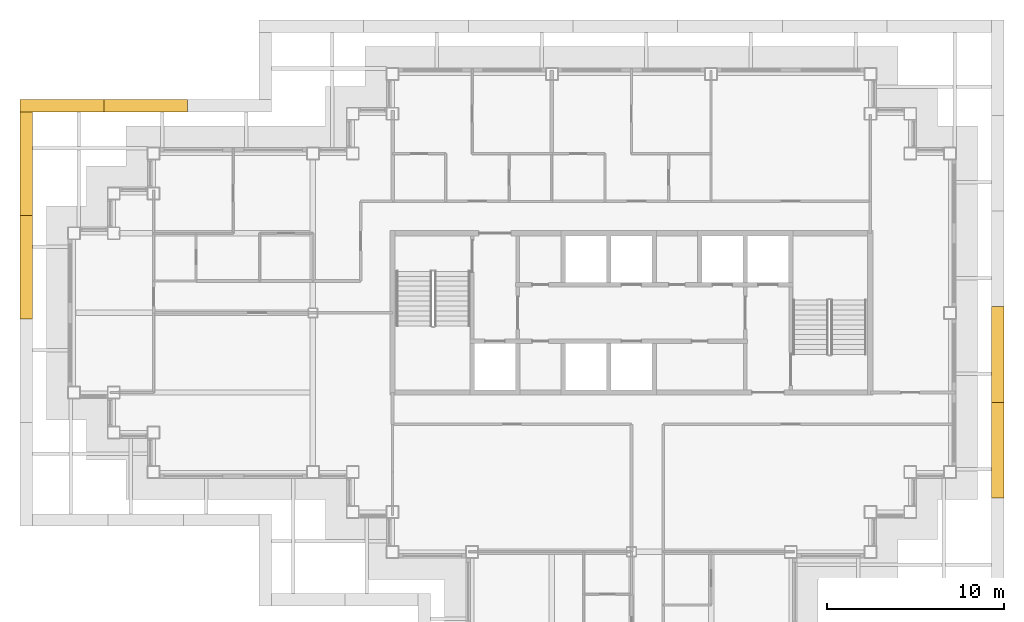
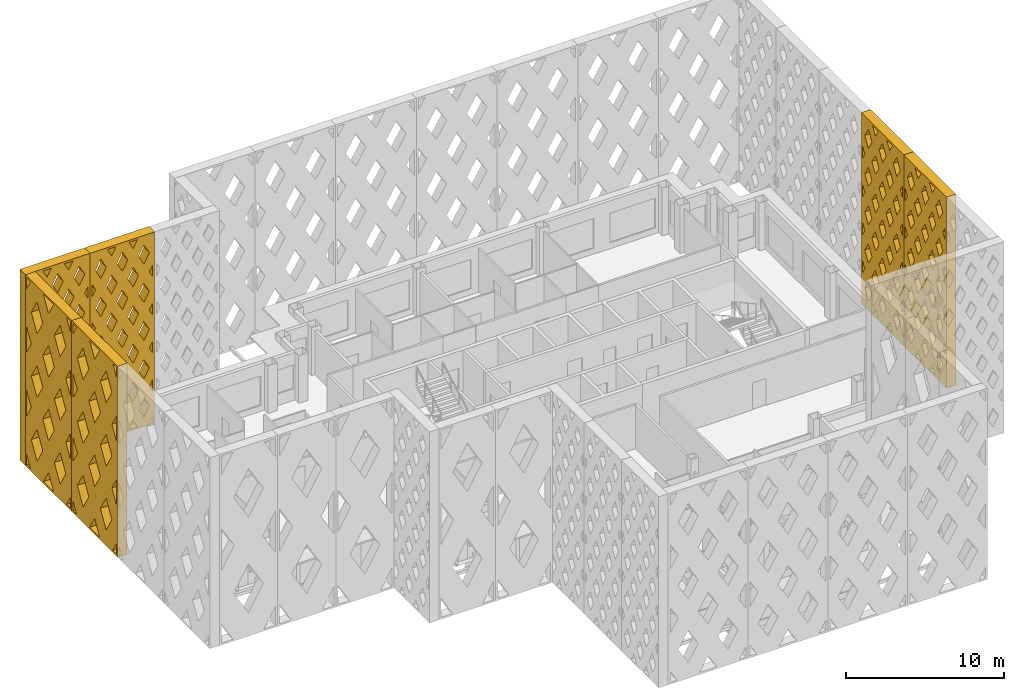
# One storey, part 14 of 16: 6 shading devices.
"""IFC4 building model written with IfcOpenShell, lengths in metres."""

from ifc_helpers import new_model, si_unit, direction, frame, origin, place, context, subcontext, project, spatial, polyline, outline, extrude, material, type_object, element, save


model = new_model("IFC4")

# Units and contexts
model_context = context("Model", 3, precision=1e-05, world=origin(), true_north=direction((0.0, 1.0)))
body_context = subcontext(model_context, "Body", "Model", "MODEL_VIEW")
ifc_project = project(units=[si_unit("LENGTHUNIT", "METRE"), si_unit("AREAUNIT", "SQUARE_METRE"), si_unit("VOLUMEUNIT", "CUBIC_METRE"), si_unit("PLANEANGLEUNIT", "RADIAN"), si_unit("MASSUNIT", "GRAM", prefix="KILO")], contexts=[model_context])

# Site, building, storey
site_placement = place(None, origin())
site = spatial("IfcSite", under=ifc_project, at=site_placement, CompositionType="ELEMENT")
building_placement = place(site_placement, origin())
building = spatial("IfcBuilding", under=site, at=building_placement, Name="Caravel Reach Hotel and Residences", CompositionType="ELEMENT")
storey_placement = place(building_placement, frame((0.0, 0.0, 207.199951171875)))
storey = spatial("IfcBuildingStorey", under=building, at=storey_placement, Name="L52", CompositionType="ELEMENT", Elevation=207.199951171875)

# Shading devices
ifc_material_1 = material(Name="Black powder-coated aluminium", Category="aluminium")
shading_device_type_1 = type_object("IfcShadingDeviceType", Name="Diamond lattice screen panel 4733 x 14800", PredefinedType="USERDEFINED", material=ifc_material_1)
shading_device_1_placement = place(storey_placement, frame((6.416748046875, 38.35009765625, 0.0), z_axis=(0.0, 1.0, 0.0), x_axis=(-1.0, 0.0, 0.0)))
element("IfcShadingDevice", 1, at=shading_device_1_placement, inside=storey, type_object=shading_device_type_1, Name="Lattice screen L52-L55 6.2", ObjectType="SCREEN", PredefinedType="USERDEFINED", context=body_context, shape_type="SweptSolid", body=[
    extrude(outline(polyline([(0.0, 0.0), (4.7333984375, 0.0), (4.7333984375, 14.800048828125), (0.0, 14.800048828125), (0.0, 0.0)]), holes=[polyline([(0.398681640625, 2.9599609375), (0.14990234375, 3.4267578125), (0.14990234375, 2.493408203125), (0.398681640625, 2.9599609375)]), polyline([(0.398681640625, 5.919921875), (0.14990234375, 6.38671875), (0.14990234375, 5.453369140625), (0.398681640625, 5.919921875)]), polyline([(0.398681640625, 8.8798828125), (0.14990234375, 9.3466796875), (0.14990234375, 8.413330078125), (0.398681640625, 8.8798828125)]), polyline([(0.398681640625, 11.840087890625), (0.14990234375, 12.306640625), (0.14990234375, 11.373291015625), (0.398681640625, 11.840087890625)]), polyline([(0.788818359375, 2.22802734375), (0.39013671875, 1.47998046875), (0.788818359375, 0.73193359375), (1.187744140625, 1.47998046875), (0.788818359375, 2.22802734375)]), polyline([(0.788818359375, 5.18798828125), (0.39013671875, 4.43994140625), (0.788818359375, 3.69189453125), (1.187744140625, 4.43994140625), (0.788818359375, 5.18798828125)]), polyline([(0.788818359375, 8.14794921875), (0.39013671875, 7.39990234375), (0.788818359375, 6.65185546875), (1.187744140625, 7.39990234375), (0.788818359375, 8.14794921875)]), polyline([(0.788818359375, 11.108154296875), (0.39013671875, 10.360107421875), (0.788818359375, 9.612060546875), (1.187744140625, 10.360107421875), (0.788818359375, 11.108154296875)]), polyline([(0.788818359375, 14.068115234375), (0.39013671875, 13.320068359375), (0.788818359375, 12.572021484375), (1.187744140625, 13.320068359375), (0.788818359375, 14.068115234375)]), polyline([(1.577880859375, 0.748046875), (1.259033203125, 0.14990234375), (1.896484375, 0.14990234375), (1.577880859375, 0.748046875)]), polyline([(1.577880859375, 3.7080078125), (1.178955078125, 2.9599609375), (1.577880859375, 2.2119140625), (1.9765625, 2.9599609375), (1.577880859375, 3.7080078125)]), polyline([(1.577880859375, 6.66796875), (1.178955078125, 5.919921875), (1.577880859375, 5.171875), (1.9765625, 5.919921875), (1.577880859375, 6.66796875)]), polyline([(1.577880859375, 9.6279296875), (1.178955078125, 8.8798828125), (1.577880859375, 8.1318359375), (1.9765625, 8.8798828125), (1.577880859375, 9.6279296875)]), polyline([(1.577880859375, 12.588134765625), (1.178955078125, 11.840087890625), (1.577880859375, 11.092041015625), (1.9765625, 11.840087890625), (1.577880859375, 12.588134765625)]), polyline([(1.577880859375, 14.052001953125), (1.896484375, 14.64990234375), (1.259033203125, 14.64990234375), (1.577880859375, 14.052001953125)]), polyline([(2.36669921875, 2.22802734375), (1.968017578125, 1.47998046875), (2.36669921875, 0.73193359375), (2.765380859375, 1.47998046875), (2.36669921875, 2.22802734375)]), polyline([(2.36669921875, 5.18798828125), (1.968017578125, 4.43994140625), (2.36669921875, 3.69189453125), (2.765380859375, 4.43994140625), (2.36669921875, 5.18798828125)]), polyline([(2.36669921875, 8.14794921875), (1.968017578125, 7.39990234375), (2.36669921875, 6.65185546875), (2.765380859375, 7.39990234375), (2.36669921875, 8.14794921875)]), polyline([(2.36669921875, 11.108154296875), (1.968017578125, 10.360107421875), (2.36669921875, 9.612060546875), (2.765380859375, 10.360107421875), (2.36669921875, 11.108154296875)]), polyline([(2.36669921875, 14.068115234375), (1.968017578125, 13.320068359375), (2.36669921875, 12.572021484375), (2.765380859375, 13.320068359375), (2.36669921875, 14.068115234375)]), polyline([(3.155517578125, 0.748046875), (2.836669921875, 0.14990234375), (3.474365234375, 0.14990234375), (3.155517578125, 0.748046875)]), polyline([(3.155517578125, 3.7080078125), (2.7568359375, 2.9599609375), (3.155517578125, 2.2119140625), (3.55419921875, 2.9599609375), (3.155517578125, 3.7080078125)]), polyline([(3.155517578125, 6.66796875), (2.7568359375, 5.919921875), (3.155517578125, 5.171875), (3.55419921875, 5.919921875), (3.155517578125, 6.66796875)]), polyline([(3.155517578125, 9.6279296875), (2.7568359375, 8.8798828125), (3.155517578125, 8.1318359375), (3.55419921875, 8.8798828125), (3.155517578125, 9.6279296875)]), polyline([(3.155517578125, 12.588134765625), (2.7568359375, 11.840087890625), (3.155517578125, 11.092041015625), (3.55419921875, 11.840087890625), (3.155517578125, 12.588134765625)]), polyline([(3.155517578125, 14.052001953125), (3.474365234375, 14.64990234375), (2.836669921875, 14.64990234375), (3.155517578125, 14.052001953125)]), polyline([(3.9443359375, 2.22802734375), (3.545654296875, 1.47998046875), (3.9443359375, 0.73193359375), (4.34326171875, 1.47998046875), (3.9443359375, 2.22802734375)]), polyline([(3.9443359375, 5.18798828125), (3.545654296875, 4.43994140625), (3.9443359375, 3.69189453125), (4.34326171875, 4.43994140625), (3.9443359375, 5.18798828125)]), polyline([(3.9443359375, 8.14794921875), (3.545654296875, 7.39990234375), (3.9443359375, 6.65185546875), (4.34326171875, 7.39990234375), (3.9443359375, 8.14794921875)]), polyline([(3.9443359375, 11.108154296875), (3.545654296875, 10.360107421875), (3.9443359375, 9.612060546875), (4.34326171875, 10.360107421875), (3.9443359375, 11.108154296875)]), polyline([(3.9443359375, 14.068115234375), (3.545654296875, 13.320068359375), (3.9443359375, 12.572021484375), (4.34326171875, 13.320068359375), (3.9443359375, 14.068115234375)]), polyline([(4.334716796875, 2.9599609375), (4.583251953125, 2.493408203125), (4.583251953125, 3.4267578125), (4.334716796875, 2.9599609375)]), polyline([(4.334716796875, 5.919921875), (4.583251953125, 5.453369140625), (4.583251953125, 6.38671875), (4.334716796875, 5.919921875)]), polyline([(4.334716796875, 8.8798828125), (4.583251953125, 8.413330078125), (4.583251953125, 9.3466796875), (4.334716796875, 8.8798828125)]), polyline([(4.334716796875, 11.840087890625), (4.583251953125, 11.373291015625), (4.583251953125, 12.306640625), (4.334716796875, 11.840087890625)])]), origin(), (0.0, 0.0, 1.0), 0.699951171875),
])
shading_device_2_placement = place(storey_placement, frame((1.683349609375, 38.35009765625, 0.0), z_axis=(0.0, 1.0, 0.0), x_axis=(-1.0, 0.0, 0.0)))
element("IfcShadingDevice", 2, at=shading_device_2_placement, inside=storey, type_object=shading_device_type_1, Name="Lattice screen L52-L55 6.3", ObjectType="SCREEN", PredefinedType="USERDEFINED", context=body_context, shape_type="SweptSolid", body=[
    extrude(outline(polyline([(0.0, 0.0), (4.7333984375, 0.0), (4.7333984375, 14.800048828125), (0.0, 14.800048828125), (0.0, 0.0)]), holes=[polyline([(0.398681640625, 2.9599609375), (0.14990234375, 3.4267578125), (0.14990234375, 2.493408203125), (0.398681640625, 2.9599609375)]), polyline([(0.398681640625, 5.919921875), (0.14990234375, 6.38671875), (0.14990234375, 5.453369140625), (0.398681640625, 5.919921875)]), polyline([(0.398681640625, 8.8798828125), (0.14990234375, 9.3466796875), (0.14990234375, 8.413330078125), (0.398681640625, 8.8798828125)]), polyline([(0.398681640625, 11.840087890625), (0.14990234375, 12.306640625), (0.14990234375, 11.373291015625), (0.398681640625, 11.840087890625)]), polyline([(0.788818359375, 2.22802734375), (0.39013671875, 1.47998046875), (0.788818359375, 0.73193359375), (1.187744140625, 1.47998046875), (0.788818359375, 2.22802734375)]), polyline([(0.788818359375, 5.18798828125), (0.39013671875, 4.43994140625), (0.788818359375, 3.69189453125), (1.187744140625, 4.43994140625), (0.788818359375, 5.18798828125)]), polyline([(0.788818359375, 8.14794921875), (0.39013671875, 7.39990234375), (0.788818359375, 6.65185546875), (1.187744140625, 7.39990234375), (0.788818359375, 8.14794921875)]), polyline([(0.788818359375, 11.108154296875), (0.39013671875, 10.360107421875), (0.788818359375, 9.612060546875), (1.187744140625, 10.360107421875), (0.788818359375, 11.108154296875)]), polyline([(0.788818359375, 14.068115234375), (0.39013671875, 13.320068359375), (0.788818359375, 12.572021484375), (1.187744140625, 13.320068359375), (0.788818359375, 14.068115234375)]), polyline([(1.577880859375, 0.748046875), (1.259033203125, 0.14990234375), (1.896484375, 0.14990234375), (1.577880859375, 0.748046875)]), polyline([(1.577880859375, 3.7080078125), (1.178955078125, 2.9599609375), (1.577880859375, 2.2119140625), (1.9765625, 2.9599609375), (1.577880859375, 3.7080078125)]), polyline([(1.577880859375, 6.66796875), (1.178955078125, 5.919921875), (1.577880859375, 5.171875), (1.9765625, 5.919921875), (1.577880859375, 6.66796875)]), polyline([(1.577880859375, 9.6279296875), (1.178955078125, 8.8798828125), (1.577880859375, 8.1318359375), (1.9765625, 8.8798828125), (1.577880859375, 9.6279296875)]), polyline([(1.577880859375, 12.588134765625), (1.178955078125, 11.840087890625), (1.577880859375, 11.092041015625), (1.9765625, 11.840087890625), (1.577880859375, 12.588134765625)]), polyline([(1.577880859375, 14.052001953125), (1.896484375, 14.64990234375), (1.259033203125, 14.64990234375), (1.577880859375, 14.052001953125)]), polyline([(2.36669921875, 2.22802734375), (1.968017578125, 1.47998046875), (2.36669921875, 0.73193359375), (2.765380859375, 1.47998046875), (2.36669921875, 2.22802734375)]), polyline([(2.36669921875, 5.18798828125), (1.968017578125, 4.43994140625), (2.36669921875, 3.69189453125), (2.765380859375, 4.43994140625), (2.36669921875, 5.18798828125)]), polyline([(2.36669921875, 8.14794921875), (1.968017578125, 7.39990234375), (2.36669921875, 6.65185546875), (2.765380859375, 7.39990234375), (2.36669921875, 8.14794921875)]), polyline([(2.36669921875, 11.108154296875), (1.968017578125, 10.360107421875), (2.36669921875, 9.612060546875), (2.765380859375, 10.360107421875), (2.36669921875, 11.108154296875)]), polyline([(2.36669921875, 14.068115234375), (1.968017578125, 13.320068359375), (2.36669921875, 12.572021484375), (2.765380859375, 13.320068359375), (2.36669921875, 14.068115234375)]), polyline([(3.155517578125, 0.748046875), (2.836669921875, 0.14990234375), (3.474365234375, 0.14990234375), (3.155517578125, 0.748046875)]), polyline([(3.155517578125, 3.7080078125), (2.7568359375, 2.9599609375), (3.155517578125, 2.2119140625), (3.55419921875, 2.9599609375), (3.155517578125, 3.7080078125)]), polyline([(3.155517578125, 6.66796875), (2.7568359375, 5.919921875), (3.155517578125, 5.171875), (3.55419921875, 5.919921875), (3.155517578125, 6.66796875)]), polyline([(3.155517578125, 9.6279296875), (2.7568359375, 8.8798828125), (3.155517578125, 8.1318359375), (3.55419921875, 8.8798828125), (3.155517578125, 9.6279296875)]), polyline([(3.155517578125, 12.588134765625), (2.7568359375, 11.840087890625), (3.155517578125, 11.092041015625), (3.55419921875, 11.840087890625), (3.155517578125, 12.588134765625)]), polyline([(3.155517578125, 14.052001953125), (3.474365234375, 14.64990234375), (2.836669921875, 14.64990234375), (3.155517578125, 14.052001953125)]), polyline([(3.9443359375, 2.22802734375), (3.545654296875, 1.47998046875), (3.9443359375, 0.73193359375), (4.34326171875, 1.47998046875), (3.9443359375, 2.22802734375)]), polyline([(3.9443359375, 5.18798828125), (3.545654296875, 4.43994140625), (3.9443359375, 3.69189453125), (4.34326171875, 4.43994140625), (3.9443359375, 5.18798828125)]), polyline([(3.9443359375, 8.14794921875), (3.545654296875, 7.39990234375), (3.9443359375, 6.65185546875), (4.34326171875, 7.39990234375), (3.9443359375, 8.14794921875)]), polyline([(3.9443359375, 11.108154296875), (3.545654296875, 10.360107421875), (3.9443359375, 9.612060546875), (4.34326171875, 10.360107421875), (3.9443359375, 11.108154296875)]), polyline([(3.9443359375, 14.068115234375), (3.545654296875, 13.320068359375), (3.9443359375, 12.572021484375), (4.34326171875, 13.320068359375), (3.9443359375, 14.068115234375)]), polyline([(4.334716796875, 2.9599609375), (4.583251953125, 2.493408203125), (4.583251953125, 3.4267578125), (4.334716796875, 2.9599609375)]), polyline([(4.334716796875, 5.919921875), (4.583251953125, 5.453369140625), (4.583251953125, 6.38671875), (4.334716796875, 5.919921875)]), polyline([(4.334716796875, 8.8798828125), (4.583251953125, 8.413330078125), (4.583251953125, 9.3466796875), (4.334716796875, 8.8798828125)]), polyline([(4.334716796875, 11.840087890625), (4.583251953125, 11.373291015625), (4.583251953125, 12.306640625), (4.334716796875, 11.840087890625)])]), origin(), (0.0, 0.0, 1.0), 0.699951171875),
])
ifc_material_2 = material(Name="Black powder-coated aluminium", Category="aluminium")
shading_device_type_2 = type_object("IfcShadingDeviceType", Name="Diamond lattice screen panel 5400 x 14800", PredefinedType="USERDEFINED", material=ifc_material_2)
shading_device_3_placement = place(storey_placement, frame((51.85009765625, 16.550048828125, 0.0), z_axis=(1.0, 0.0, 0.0), x_axis=(0.0, 1.0, 0.0)))
element("IfcShadingDevice", 3, at=shading_device_3_placement, inside=storey, type_object=shading_device_type_2, Name="Lattice screen L52-L55 3.2", ObjectType="SCREEN", PredefinedType="USERDEFINED", context=body_context, shape_type="SweptSolid", body=[
    extrude(outline(polyline([(0.0, 0.0), (5.39990234375, 0.0), (5.39990234375, 14.800048828125), (0.0, 14.800048828125), (0.0, 0.0)]), holes=[polyline([(0.452880859375, 2.9599609375), (0.14990234375, 3.4580078125), (0.14990234375, 2.4619140625), (0.452880859375, 2.9599609375)]), polyline([(0.452880859375, 5.919921875), (0.14990234375, 6.41796875), (0.14990234375, 5.421875), (0.452880859375, 5.919921875)]), polyline([(0.452880859375, 8.8798828125), (0.14990234375, 9.378173828125), (0.14990234375, 8.3818359375), (0.452880859375, 8.8798828125)]), polyline([(0.452880859375, 11.840087890625), (0.14990234375, 12.338134765625), (0.14990234375, 11.342041015625), (0.452880859375, 11.840087890625)]), polyline([(0.89990234375, 2.224853515625), (0.447021484375, 1.47998046875), (0.89990234375, 0.7353515625), (1.352783203125, 1.47998046875), (0.89990234375, 2.224853515625)]), polyline([(0.89990234375, 5.184814453125), (0.447021484375, 4.43994140625), (0.89990234375, 3.6953125), (1.352783203125, 4.43994140625), (0.89990234375, 5.184814453125)]), polyline([(0.89990234375, 8.144775390625), (0.447021484375, 7.39990234375), (0.89990234375, 6.6552734375), (1.352783203125, 7.39990234375), (0.89990234375, 8.144775390625)]), polyline([(0.89990234375, 11.104736328125), (0.447021484375, 10.360107421875), (0.89990234375, 9.615234375), (1.352783203125, 10.360107421875), (0.89990234375, 11.104736328125)]), polyline([(0.89990234375, 14.064697265625), (0.447021484375, 13.320068359375), (0.89990234375, 12.5751953125), (1.352783203125, 13.320068359375), (0.89990234375, 14.064697265625)]), polyline([(1.800048828125, 0.74462890625), (1.438232421875, 0.14990234375), (2.16162109375, 0.14990234375), (1.800048828125, 0.74462890625)]), polyline([(1.800048828125, 3.704833984375), (1.34716796875, 2.9599609375), (1.800048828125, 2.21533203125), (2.2529296875, 2.9599609375), (1.800048828125, 3.704833984375)]), polyline([(1.800048828125, 6.664794921875), (1.34716796875, 5.919921875), (1.800048828125, 5.17529296875), (2.2529296875, 5.919921875), (1.800048828125, 6.664794921875)]), polyline([(1.800048828125, 9.624755859375), (1.34716796875, 8.8798828125), (1.800048828125, 8.13525390625), (2.2529296875, 8.8798828125), (1.800048828125, 9.624755859375)]), polyline([(1.800048828125, 12.584716796875), (1.34716796875, 11.840087890625), (1.800048828125, 11.09521484375), (2.2529296875, 11.840087890625), (1.800048828125, 12.584716796875)]), polyline([(1.800048828125, 14.05517578125), (2.16162109375, 14.64990234375), (1.438232421875, 14.64990234375), (1.800048828125, 14.05517578125)]), polyline([(2.699951171875, 2.224853515625), (2.2470703125, 1.47998046875), (2.699951171875, 0.7353515625), (3.15283203125, 1.47998046875), (2.699951171875, 2.224853515625)]), polyline([(2.699951171875, 5.184814453125), (2.2470703125, 4.43994140625), (2.699951171875, 3.6953125), (3.15283203125, 4.43994140625), (2.699951171875, 5.184814453125)]), polyline([(2.699951171875, 8.144775390625), (2.2470703125, 7.39990234375), (2.699951171875, 6.6552734375), (3.15283203125, 7.39990234375), (2.699951171875, 8.144775390625)]), polyline([(2.699951171875, 11.104736328125), (2.2470703125, 10.360107421875), (2.699951171875, 9.615234375), (3.15283203125, 10.360107421875), (2.699951171875, 11.104736328125)]), polyline([(2.699951171875, 14.064697265625), (2.2470703125, 13.320068359375), (2.699951171875, 12.5751953125), (3.15283203125, 13.320068359375), (2.699951171875, 14.064697265625)]), polyline([(3.60009765625, 0.74462890625), (3.23828125, 0.14990234375), (3.961669921875, 0.14990234375), (3.60009765625, 0.74462890625)]), polyline([(3.60009765625, 3.704833984375), (3.147216796875, 2.9599609375), (3.60009765625, 2.21533203125), (4.052978515625, 2.9599609375), (3.60009765625, 3.704833984375)]), polyline([(3.60009765625, 6.664794921875), (3.147216796875, 5.919921875), (3.60009765625, 5.17529296875), (4.052978515625, 5.919921875), (3.60009765625, 6.664794921875)]), polyline([(3.60009765625, 9.624755859375), (3.147216796875, 8.8798828125), (3.60009765625, 8.13525390625), (4.052978515625, 8.8798828125), (3.60009765625, 9.624755859375)]), polyline([(3.60009765625, 12.584716796875), (3.147216796875, 11.840087890625), (3.60009765625, 11.09521484375), (4.052978515625, 11.840087890625), (3.60009765625, 12.584716796875)]), polyline([(3.60009765625, 14.05517578125), (3.961669921875, 14.64990234375), (3.23828125, 14.64990234375), (3.60009765625, 14.05517578125)]), polyline([(4.5, 2.224853515625), (4.047119140625, 1.47998046875), (4.5, 0.7353515625), (4.952880859375, 1.47998046875), (4.5, 2.224853515625)]), polyline([(4.5, 5.184814453125), (4.047119140625, 4.43994140625), (4.5, 3.6953125), (4.952880859375, 4.43994140625), (4.5, 5.184814453125)]), polyline([(4.5, 8.144775390625), (4.047119140625, 7.39990234375), (4.5, 6.6552734375), (4.952880859375, 7.39990234375), (4.5, 8.144775390625)]), polyline([(4.5, 11.104736328125), (4.047119140625, 10.360107421875), (4.5, 9.615234375), (4.952880859375, 10.360107421875), (4.5, 11.104736328125)]), polyline([(4.5, 14.064697265625), (4.047119140625, 13.320068359375), (4.5, 12.5751953125), (4.952880859375, 13.320068359375), (4.5, 14.064697265625)]), polyline([(4.947021484375, 2.9599609375), (5.25, 2.4619140625), (5.25, 3.4580078125), (4.947021484375, 2.9599609375)]), polyline([(4.947021484375, 5.919921875), (5.25, 5.421875), (5.25, 6.41796875), (4.947021484375, 5.919921875)]), polyline([(4.947021484375, 8.8798828125), (5.25, 8.3818359375), (5.25, 9.378173828125), (4.947021484375, 8.8798828125)]), polyline([(4.947021484375, 11.840087890625), (5.25, 11.342041015625), (5.25, 12.338134765625), (4.947021484375, 11.840087890625)])]), origin(), (0.0, 0.0, 1.0), 0.699951171875),
])
shading_device_4_placement = place(storey_placement, frame((51.85009765625, 21.949951171875, 0.0), z_axis=(1.0, 0.0, 0.0), x_axis=(0.0, 1.0, 0.0)))
element("IfcShadingDevice", 4, at=shading_device_4_placement, inside=storey, type_object=shading_device_type_2, Name="Lattice screen L52-L55 3.3", ObjectType="SCREEN", PredefinedType="USERDEFINED", context=body_context, shape_type="SweptSolid", body=[
    extrude(outline(polyline([(0.0, 0.0), (5.39990234375, 0.0), (5.39990234375, 14.800048828125), (0.0, 14.800048828125), (0.0, 0.0)]), holes=[polyline([(0.452880859375, 2.9599609375), (0.14990234375, 3.4580078125), (0.14990234375, 2.4619140625), (0.452880859375, 2.9599609375)]), polyline([(0.452880859375, 5.919921875), (0.14990234375, 6.41796875), (0.14990234375, 5.421875), (0.452880859375, 5.919921875)]), polyline([(0.452880859375, 8.8798828125), (0.14990234375, 9.378173828125), (0.14990234375, 8.3818359375), (0.452880859375, 8.8798828125)]), polyline([(0.452880859375, 11.840087890625), (0.14990234375, 12.338134765625), (0.14990234375, 11.342041015625), (0.452880859375, 11.840087890625)]), polyline([(0.89990234375, 2.224853515625), (0.447021484375, 1.47998046875), (0.89990234375, 0.7353515625), (1.352783203125, 1.47998046875), (0.89990234375, 2.224853515625)]), polyline([(0.89990234375, 5.184814453125), (0.447021484375, 4.43994140625), (0.89990234375, 3.6953125), (1.352783203125, 4.43994140625), (0.89990234375, 5.184814453125)]), polyline([(0.89990234375, 8.144775390625), (0.447021484375, 7.39990234375), (0.89990234375, 6.6552734375), (1.352783203125, 7.39990234375), (0.89990234375, 8.144775390625)]), polyline([(0.89990234375, 11.104736328125), (0.447021484375, 10.360107421875), (0.89990234375, 9.615234375), (1.352783203125, 10.360107421875), (0.89990234375, 11.104736328125)]), polyline([(0.89990234375, 14.064697265625), (0.447021484375, 13.320068359375), (0.89990234375, 12.5751953125), (1.352783203125, 13.320068359375), (0.89990234375, 14.064697265625)]), polyline([(1.800048828125, 0.74462890625), (1.438232421875, 0.14990234375), (2.16162109375, 0.14990234375), (1.800048828125, 0.74462890625)]), polyline([(1.800048828125, 3.704833984375), (1.34716796875, 2.9599609375), (1.800048828125, 2.21533203125), (2.2529296875, 2.9599609375), (1.800048828125, 3.704833984375)]), polyline([(1.800048828125, 6.664794921875), (1.34716796875, 5.919921875), (1.800048828125, 5.17529296875), (2.2529296875, 5.919921875), (1.800048828125, 6.664794921875)]), polyline([(1.800048828125, 9.624755859375), (1.34716796875, 8.8798828125), (1.800048828125, 8.13525390625), (2.2529296875, 8.8798828125), (1.800048828125, 9.624755859375)]), polyline([(1.800048828125, 12.584716796875), (1.34716796875, 11.840087890625), (1.800048828125, 11.09521484375), (2.2529296875, 11.840087890625), (1.800048828125, 12.584716796875)]), polyline([(1.800048828125, 14.05517578125), (2.16162109375, 14.64990234375), (1.438232421875, 14.64990234375), (1.800048828125, 14.05517578125)]), polyline([(2.699951171875, 2.224853515625), (2.2470703125, 1.47998046875), (2.699951171875, 0.7353515625), (3.15283203125, 1.47998046875), (2.699951171875, 2.224853515625)]), polyline([(2.699951171875, 5.184814453125), (2.2470703125, 4.43994140625), (2.699951171875, 3.6953125), (3.15283203125, 4.43994140625), (2.699951171875, 5.184814453125)]), polyline([(2.699951171875, 8.144775390625), (2.2470703125, 7.39990234375), (2.699951171875, 6.6552734375), (3.15283203125, 7.39990234375), (2.699951171875, 8.144775390625)]), polyline([(2.699951171875, 11.104736328125), (2.2470703125, 10.360107421875), (2.699951171875, 9.615234375), (3.15283203125, 10.360107421875), (2.699951171875, 11.104736328125)]), polyline([(2.699951171875, 14.064697265625), (2.2470703125, 13.320068359375), (2.699951171875, 12.5751953125), (3.15283203125, 13.320068359375), (2.699951171875, 14.064697265625)]), polyline([(3.60009765625, 0.74462890625), (3.23828125, 0.14990234375), (3.961669921875, 0.14990234375), (3.60009765625, 0.74462890625)]), polyline([(3.60009765625, 3.704833984375), (3.147216796875, 2.9599609375), (3.60009765625, 2.21533203125), (4.052978515625, 2.9599609375), (3.60009765625, 3.704833984375)]), polyline([(3.60009765625, 6.664794921875), (3.147216796875, 5.919921875), (3.60009765625, 5.17529296875), (4.052978515625, 5.919921875), (3.60009765625, 6.664794921875)]), polyline([(3.60009765625, 9.624755859375), (3.147216796875, 8.8798828125), (3.60009765625, 8.13525390625), (4.052978515625, 8.8798828125), (3.60009765625, 9.624755859375)]), polyline([(3.60009765625, 12.584716796875), (3.147216796875, 11.840087890625), (3.60009765625, 11.09521484375), (4.052978515625, 11.840087890625), (3.60009765625, 12.584716796875)]), polyline([(3.60009765625, 14.05517578125), (3.961669921875, 14.64990234375), (3.23828125, 14.64990234375), (3.60009765625, 14.05517578125)]), polyline([(4.5, 2.224853515625), (4.047119140625, 1.47998046875), (4.5, 0.7353515625), (4.952880859375, 1.47998046875), (4.5, 2.224853515625)]), polyline([(4.5, 5.184814453125), (4.047119140625, 4.43994140625), (4.5, 3.6953125), (4.952880859375, 4.43994140625), (4.5, 5.184814453125)]), polyline([(4.5, 8.144775390625), (4.047119140625, 7.39990234375), (4.5, 6.6552734375), (4.952880859375, 7.39990234375), (4.5, 8.144775390625)]), polyline([(4.5, 11.104736328125), (4.047119140625, 10.360107421875), (4.5, 9.615234375), (4.952880859375, 10.360107421875), (4.5, 11.104736328125)]), polyline([(4.5, 14.064697265625), (4.047119140625, 13.320068359375), (4.5, 12.5751953125), (4.952880859375, 13.320068359375), (4.5, 14.064697265625)]), polyline([(4.947021484375, 2.9599609375), (5.25, 2.4619140625), (5.25, 3.4580078125), (4.947021484375, 2.9599609375)]), polyline([(4.947021484375, 5.919921875), (5.25, 5.421875), (5.25, 6.41796875), (4.947021484375, 5.919921875)]), polyline([(4.947021484375, 8.8798828125), (5.25, 8.3818359375), (5.25, 9.378173828125), (4.947021484375, 8.8798828125)]), polyline([(4.947021484375, 11.840087890625), (5.25, 11.342041015625), (5.25, 12.338134765625), (4.947021484375, 11.840087890625)])]), origin(), (0.0, 0.0, 1.0), 0.699951171875),
])
ifc_material_3 = material(Name="Black powder-coated aluminium", Category="aluminium")
shading_device_type_3 = type_object("IfcShadingDeviceType", Name="Diamond lattice screen panel 5850 x 14800", PredefinedType="USERDEFINED", material=ifc_material_3)
shading_device_5_placement = place(storey_placement, frame((-2.35009765625, 38.35009765625, 0.0), z_axis=(-1.0, 0.0, 0.0), x_axis=(0.0, -1.0, 0.0)))
element("IfcShadingDevice", 5, at=shading_device_5_placement, inside=storey, type_object=shading_device_type_3, Name="Lattice screen L52-L55 7.1", ObjectType="SCREEN", PredefinedType="USERDEFINED", context=body_context, shape_type="SweptSolid", body=[
    extrude(outline(polyline([(0.0, 0.0), (5.85009765625, 0.0), (5.85009765625, 14.800048828125), (0.0, 14.800048828125), (0.0, 0.0)]), holes=[polyline([(0.644775390625, 0.14990234375), (0.14990234375, 0.984375), (0.14990234375, 0.14990234375), (0.644775390625, 0.14990234375)]), polyline([(0.733642578125, 4.933349609375), (0.14990234375, 5.917724609375), (0.14990234375, 3.948974609375), (0.733642578125, 4.933349609375)]), polyline([(0.733642578125, 9.86669921875), (0.14990234375, 10.85107421875), (0.14990234375, 8.88232421875), (0.733642578125, 9.86669921875)]), polyline([(0.14990234375, 13.815673828125), (0.644775390625, 14.64990234375), (0.14990234375, 14.64990234375), (0.14990234375, 13.815673828125)]), polyline([(1.46240234375, 3.703857421875), (0.72900390625, 2.466552734375), (1.46240234375, 1.2294921875), (2.196044921875, 2.466552734375), (1.46240234375, 3.703857421875)]), polyline([(1.46240234375, 8.63720703125), (0.72900390625, 7.39990234375), (1.46240234375, 6.16259765625), (2.196044921875, 7.39990234375), (1.46240234375, 8.63720703125)]), polyline([(1.46240234375, 13.570556640625), (0.72900390625, 12.333251953125), (1.46240234375, 11.095947265625), (2.196044921875, 12.333251953125), (1.46240234375, 13.570556640625)]), polyline([(2.925048828125, 1.2373046875), (2.2802734375, 0.14990234375), (3.569580078125, 0.14990234375), (2.925048828125, 1.2373046875)]), polyline([(2.925048828125, 6.170654296875), (2.19140625, 4.933349609375), (2.925048828125, 3.696044921875), (3.65869140625, 4.933349609375), (2.925048828125, 6.170654296875)]), polyline([(2.925048828125, 11.10400390625), (2.19140625, 9.86669921875), (2.925048828125, 8.62939453125), (3.65869140625, 9.86669921875), (2.925048828125, 11.10400390625)]), polyline([(2.925048828125, 13.562744140625), (3.569580078125, 14.64990234375), (2.2802734375, 14.64990234375), (2.925048828125, 13.562744140625)]), polyline([(4.387451171875, 3.703857421875), (3.65380859375, 2.466552734375), (4.387451171875, 1.2294921875), (5.12109375, 2.466552734375), (4.387451171875, 3.703857421875)]), polyline([(4.387451171875, 8.63720703125), (3.65380859375, 7.39990234375), (4.387451171875, 6.16259765625), (5.12109375, 7.39990234375), (4.387451171875, 8.63720703125)]), polyline([(4.387451171875, 13.570556640625), (3.65380859375, 12.333251953125), (4.387451171875, 11.095947265625), (5.12109375, 12.333251953125), (4.387451171875, 13.570556640625)]), polyline([(5.699951171875, 0.984375), (5.205322265625, 0.14990234375), (5.699951171875, 0.14990234375), (5.699951171875, 0.984375)]), polyline([(5.116455078125, 4.933349609375), (5.699951171875, 3.948974609375), (5.699951171875, 5.917724609375), (5.116455078125, 4.933349609375)]), polyline([(5.116455078125, 9.86669921875), (5.699951171875, 8.88232421875), (5.699951171875, 10.85107421875), (5.116455078125, 9.86669921875)]), polyline([(5.205322265625, 14.64990234375), (5.699951171875, 13.815673828125), (5.699951171875, 14.64990234375), (5.205322265625, 14.64990234375)])]), origin(), (0.0, 0.0, 1.0), 0.699951171875),
])
shading_device_6_placement = place(storey_placement, frame((-2.35009765625, 32.5, 0.0), z_axis=(-1.0, 0.0, 0.0), x_axis=(0.0, -1.0, 0.0)))
element("IfcShadingDevice", 6, at=shading_device_6_placement, inside=storey, type_object=shading_device_type_3, Name="Lattice screen L52-L55 7.2", ObjectType="SCREEN", PredefinedType="USERDEFINED", context=body_context, shape_type="SweptSolid", body=[
    extrude(outline(polyline([(0.0, 0.0), (5.85009765625, 0.0), (5.85009765625, 14.800048828125), (0.0, 14.800048828125), (0.0, 0.0)]), holes=[polyline([(0.644775390625, 0.14990234375), (0.14990234375, 0.984375), (0.14990234375, 0.14990234375), (0.644775390625, 0.14990234375)]), polyline([(0.733642578125, 4.933349609375), (0.14990234375, 5.917724609375), (0.14990234375, 3.948974609375), (0.733642578125, 4.933349609375)]), polyline([(0.733642578125, 9.86669921875), (0.14990234375, 10.85107421875), (0.14990234375, 8.88232421875), (0.733642578125, 9.86669921875)]), polyline([(0.14990234375, 13.815673828125), (0.644775390625, 14.64990234375), (0.14990234375, 14.64990234375), (0.14990234375, 13.815673828125)]), polyline([(1.46240234375, 3.703857421875), (0.72900390625, 2.466552734375), (1.46240234375, 1.2294921875), (2.196044921875, 2.466552734375), (1.46240234375, 3.703857421875)]), polyline([(1.46240234375, 8.63720703125), (0.72900390625, 7.39990234375), (1.46240234375, 6.16259765625), (2.196044921875, 7.39990234375), (1.46240234375, 8.63720703125)]), polyline([(1.46240234375, 13.570556640625), (0.72900390625, 12.333251953125), (1.46240234375, 11.095947265625), (2.196044921875, 12.333251953125), (1.46240234375, 13.570556640625)]), polyline([(2.925048828125, 1.2373046875), (2.2802734375, 0.14990234375), (3.569580078125, 0.14990234375), (2.925048828125, 1.2373046875)]), polyline([(2.925048828125, 6.170654296875), (2.19140625, 4.933349609375), (2.925048828125, 3.696044921875), (3.65869140625, 4.933349609375), (2.925048828125, 6.170654296875)]), polyline([(2.925048828125, 11.10400390625), (2.19140625, 9.86669921875), (2.925048828125, 8.62939453125), (3.65869140625, 9.86669921875), (2.925048828125, 11.10400390625)]), polyline([(2.925048828125, 13.562744140625), (3.569580078125, 14.64990234375), (2.2802734375, 14.64990234375), (2.925048828125, 13.562744140625)]), polyline([(4.387451171875, 3.703857421875), (3.65380859375, 2.466552734375), (4.387451171875, 1.2294921875), (5.12109375, 2.466552734375), (4.387451171875, 3.703857421875)]), polyline([(4.387451171875, 8.63720703125), (3.65380859375, 7.39990234375), (4.387451171875, 6.16259765625), (5.12109375, 7.39990234375), (4.387451171875, 8.63720703125)]), polyline([(4.387451171875, 13.570556640625), (3.65380859375, 12.333251953125), (4.387451171875, 11.095947265625), (5.12109375, 12.333251953125), (4.387451171875, 13.570556640625)]), polyline([(5.699951171875, 0.984375), (5.205322265625, 0.14990234375), (5.699951171875, 0.14990234375), (5.699951171875, 0.984375)]), polyline([(5.116455078125, 4.933349609375), (5.699951171875, 3.948974609375), (5.699951171875, 5.917724609375), (5.116455078125, 4.933349609375)]), polyline([(5.116455078125, 9.86669921875), (5.699951171875, 8.88232421875), (5.699951171875, 10.85107421875), (5.116455078125, 9.86669921875)]), polyline([(5.205322265625, 14.64990234375), (5.699951171875, 13.815673828125), (5.699951171875, 14.64990234375), (5.205322265625, 14.64990234375)])]), origin(), (0.0, 0.0, 1.0), 0.699951171875),
])

save(model, "model.ifc")
